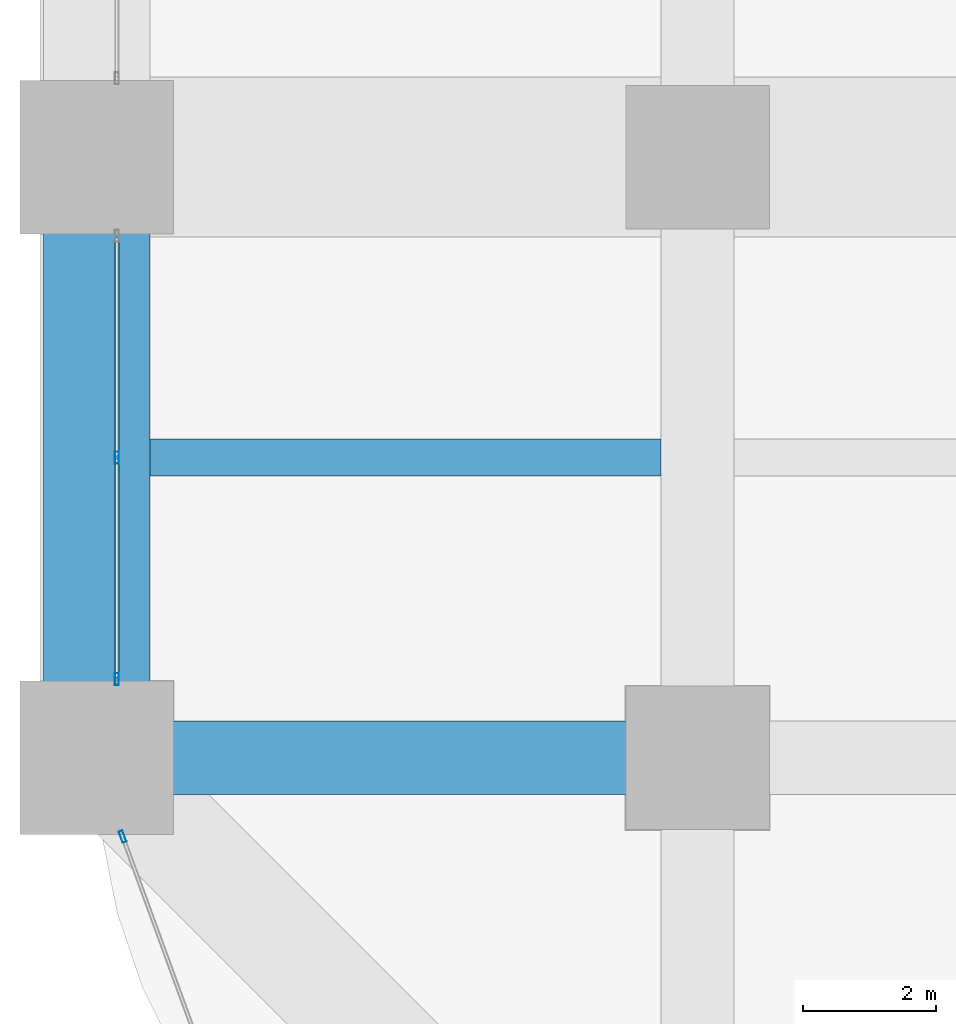
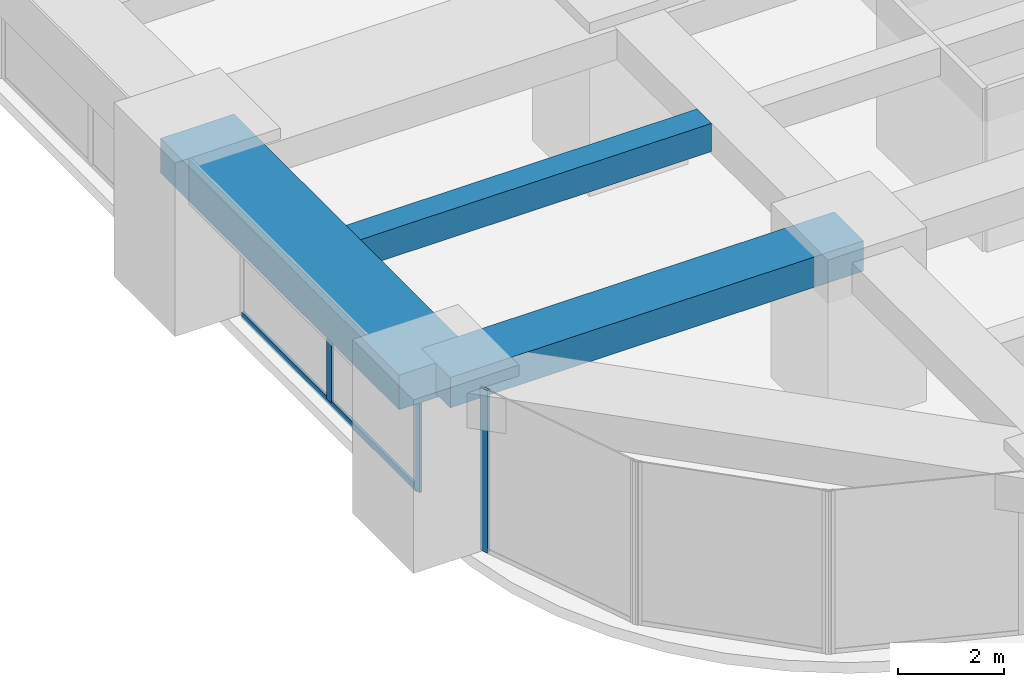
# One storey, part 4 of 43: 4 members, 3 beams, 2 elements without a shape of their own.
"""IFC4 building model written with IfcOpenShell, lengths in metres."""

import ifcopenshell
import ifcopenshell.guid

model = None  # the IFC model being written
_history = None  # IfcOwnerHistory: only IFC2X3 demands one
_inside = {}  # id of a spatial element -> (the spatial element, [elements in it])
_under = {}  # id of a project, library or spatial element -> (it, [spatial elements below it])
_declared = {}  # id of a project -> (the project, [libraries it declares])
_typed = {}  # id of a type object -> (the type object, [elements of that type])
_made_of = {}  # id of a material, layer set ... -> (it, [elements and type objects made of it])


def new_model(schema):
    """Start an empty IFC model of exactly this schema.

    Asked for "IFC4X3", IfcOpenShell would pick the latest addendum, in which some entities
    have other attributes; the version numbers below select the first issue.
    IFC2X3 requires an IfcOwnerHistory on every rooted entity: one is made here for all.
    """
    global model, _history
    if schema == "IFC4X3":
        model = ifcopenshell.file(schema_version=(4, 3, 0, 0))
    else:
        model = ifcopenshell.file(schema=schema)
    _inside.clear()
    _under.clear()
    _declared.clear()
    _typed.clear()
    _made_of.clear()
    _history = None
    if model.schema == "IFC2X3":
        org = make("IfcOrganization", Name="unknown")
        user = make(
            "IfcPersonAndOrganization",
            ThePerson=make("IfcPerson", FamilyName="unknown"),
            TheOrganization=org,
        )
        app = make(
            "IfcApplication",
            ApplicationDeveloper=org,
            Version="unknown",
            ApplicationFullName="unknown",
            ApplicationIdentifier="unknown",
        )
        _history = make(
            "IfcOwnerHistory",
            OwningUser=user,
            OwningApplication=app,
            ChangeAction="ADDED",
            CreationDate=0,
        )
    return model


def make(cls, **values):
    """One entity of the class cls with the attributes given. An attribute that is None is left unset."""
    return model.create_entity(
        cls, **{name: value for name, value in values.items() if value is not None}
    )


def rooted(cls, **values):
    """An entity with a GlobalId (a new one), such as an element, a storey or a relation."""
    return make(cls, GlobalId=ifcopenshell.guid.new(), OwnerHistory=_history, **values)


def si_unit(unit_type, name, prefix=None):
    """IfcSIUnit, for example si_unit("LENGTHUNIT", "METRE", prefix="MILLI")."""
    return make("IfcSIUnit", UnitType=unit_type, Prefix=prefix, Name=name)


def assignment(units):
    """IfcUnitAssignment: the units of a project."""
    return None if units is None else make("IfcUnitAssignment", Units=units)


def point(xyz):
    """IfcCartesianPoint."""
    return None if xyz is None else make("IfcCartesianPoint", Coordinates=xyz)


def direction(xyz):
    """IfcDirection."""
    return None if xyz is None else make("IfcDirection", DirectionRatios=xyz)


def frame(location, z_axis=None, x_axis=None):
    """IfcAxis2Placement3D, a coordinate frame: its origin and axes. An axis left out is left unset."""
    return make(
        "IfcAxis2Placement3D",
        Location=point(location),
        Axis=direction(z_axis),
        RefDirection=direction(x_axis),
    )


def frame_2d(location, x_axis=None):
    """IfcAxis2Placement2D, a coordinate frame in the plane: its origin and x axis."""
    return make(
        "IfcAxis2Placement2D", Location=point(location), RefDirection=direction(x_axis)
    )


def origin():
    """The frame at (0, 0, 0) with its axes left unset."""
    return frame((0.0, 0.0, 0.0))


def origin_2d():
    """The frame at (0, 0) in the plane with its x axis left unset."""
    return frame_2d((0.0, 0.0))


def place(relative_to, where):
    """IfcLocalPlacement: puts the frame where relative to a parent placement (None: the world)."""
    return make(
        "IfcLocalPlacement", PlacementRelTo=relative_to, RelativePlacement=where
    )


def context(
    kind, dimensions, precision=None, world=None, true_north=None, identifier=None
):
    """IfcGeometricRepresentationContext, for example the 3D "Model" context."""
    return make(
        "IfcGeometricRepresentationContext",
        ContextIdentifier=identifier,
        ContextType=kind,
        CoordinateSpaceDimension=dimensions,
        Precision=precision,
        WorldCoordinateSystem=world,
        TrueNorth=true_north,
    )


def subcontext(parent, identifier, kind, view, scale=None):
    """IfcGeometricRepresentationSubContext, for example "Body" below "Model"."""
    return make(
        "IfcGeometricRepresentationSubContext",
        ContextIdentifier=identifier,
        ContextType=kind,
        ParentContext=parent,
        TargetScale=scale,
        TargetView=view,
    )


def project(units=None, contexts=None):
    """IfcProject with its units and contexts."""
    return rooted(
        "IfcProject",
        Name="project",
        RepresentationContexts=contexts,
        UnitsInContext=assignment(units),
    )


def spatial(cls, under=None, at=None, **own):
    """A site, building, storey or space (cls), placed at a placement, below another one or the project."""
    s = rooted(cls, ObjectPlacement=at, **own)
    if under is not None:
        _under.setdefault(under.id(), (under, []))[1].append(s)
    return s


def profile(cls, at=None, kind="AREA", **sizes):
    """A parametric profile (cls). Its sizes go by their IFC names, for example OverallWidth=200.0."""
    return make(cls, ProfileType=kind, Position=at, **sizes)


def rectangle(**sizes):
    """IfcRectangleProfileDef."""
    return profile("IfcRectangleProfileDef", **sizes)


def hollow_rectangle(**sizes):
    """IfcRectangleHollowProfileDef."""
    return profile("IfcRectangleHollowProfileDef", **sizes)


def extrude(swept, where, along, depth):
    """IfcExtrudedAreaSolid: the profile swept, set in the frame where, extruded along a direction by depth."""
    return make(
        "IfcExtrudedAreaSolid",
        SweptArea=swept,
        Position=where,
        ExtrudedDirection=direction(along),
        Depth=depth,
    )


def shape(context_of_items, identifier, shape_type, items):
    """IfcShapeRepresentation: the items that make up one representation, for example the "Body"."""
    return make(
        "IfcShapeRepresentation",
        ContextOfItems=context_of_items,
        RepresentationIdentifier=identifier,
        RepresentationType=shape_type,
        Items=items,
    )


def material(Name=None, Category=None):
    """IfcMaterial."""
    return make("IfcMaterial", Name=Name, Category=Category)


def material_profile(
    of_material, cross_section, Name=None, Category=None, Priority=None
):
    """IfcMaterialProfile: a cross section and its material."""
    return make(
        "IfcMaterialProfile",
        Name=Name,
        Material=of_material,
        Profile=cross_section,
        Priority=Priority,
        Category=Category,
    )


def profile_set(profiles, Name=None, composite=None):
    """IfcMaterialProfileSet."""
    return make(
        "IfcMaterialProfileSet",
        Name=Name,
        MaterialProfiles=profiles,
        CompositeProfile=composite,
    )


def made_of(thing, what):
    """Note that an element or type object is made of a material, layer set ...; save() writes the relation."""
    if what is not None:
        _made_of.setdefault(what.id(), (what, []))[1].append(thing)
    return thing


def type_object(cls, material=None, **own):
    """A type object (cls), such as IfcWallType, which elements share."""
    return made_of(rooted(cls, **own), material)


def element(
    cls,
    number,
    at=None,
    inside=None,
    cuts=None,
    type_object=None,
    material=None,
    context=None,
    identifier="Body",
    shape_type=None,
    held_by="IfcProductDefinitionShape",
    body=None,
    shapes=None,
    **own,
):
    """One element of the class cls, such as IfcWall. Its Tag is "e" and its number.

    at: its placement. inside: the storey or other place that contains it. cuts: it is an
    opening in that element (IfcRelVoidsElement). A single representation is given by context,
    identifier, shape_type and body (its items); several are given by shapes. held_by: the class
    of the entity that holds the representations. save() writes the other relations.
    """
    e = rooted(cls, Tag="e%d" % number, ObjectPlacement=at, **own)
    if body is not None:
        shapes = [shape(context, identifier, shape_type, body)]
    if shapes is not None:
        e.Representation = make(held_by, Representations=shapes)
    if inside is not None:
        _inside.setdefault(inside.id(), (inside, []))[1].append(e)
    if cuts is not None:
        rooted(
            "IfcRelVoidsElement", RelatingBuildingElement=cuts, RelatedOpeningElement=e
        )
    if type_object is not None:
        _typed.setdefault(type_object.id(), (type_object, []))[1].append(e)
    return made_of(e, material)


def aggregate(whole, parts):
    """IfcRelAggregates: a whole, such as a stair, and the parts it consists of."""
    return rooted("IfcRelAggregates", RelatingObject=whole, RelatedObjects=parts)


def save(model, path):
    """Write the relations noted so far, then the file.

    IfcRelAggregates (storeys below a building ...), IfcRelContainedInSpatialStructure (elements
    in a storey), IfcRelDefinesByType, IfcRelAssociatesMaterial and IfcRelDeclares: one each for
    every whole, place, type object, material and project.
    """
    for whole, parts in _under.values():
        aggregate(whole, parts)
    for where, things in _inside.values():
        rooted(
            "IfcRelContainedInSpatialStructure",
            RelatedElements=things,
            RelatingStructure=where,
        )
    for kind, things in _typed.values():
        rooted("IfcRelDefinesByType", RelatedObjects=things, RelatingType=kind)
    for what, things in _made_of.values():
        rooted("IfcRelAssociatesMaterial", RelatedObjects=things, RelatingMaterial=what)
    for by, libraries in _declared.values():
        rooted("IfcRelDeclares", RelatingContext=by, RelatedDefinitions=libraries)
    model.write(path)


model = new_model("IFC4")

# Units and contexts
model_context = context("Model", 3, precision=1e-05, world=origin(), true_north=direction((0.0, 1.0)))
body_context = subcontext(model_context, "Body", "Model", "MODEL_VIEW")
ifc_project = project(units=[si_unit("LENGTHUNIT", "METRE"), si_unit("AREAUNIT", "SQUARE_METRE"), si_unit("VOLUMEUNIT", "CUBIC_METRE"), si_unit("PLANEANGLEUNIT", "RADIAN"), si_unit("MASSUNIT", "GRAM", prefix="KILO")], contexts=[model_context])

# Site, building, storey
site_placement = place(None, origin())
site = spatial("IfcSite", under=ifc_project, at=site_placement, CompositionType="ELEMENT")
building_placement = place(site_placement, origin())
building = spatial("IfcBuilding", under=site, at=building_placement, Name="Zorevar Civic Tower", CompositionType="ELEMENT")
storey_placement = place(building_placement, frame((0.0, 0.0, 67.800048828125)))
storey = spatial("IfcBuildingStorey", under=building, at=storey_placement, Name="L16", CompositionType="ELEMENT", Elevation=67.800048828125)

# Beams
ifc_material_1 = material(Name="Concrete C50/60", Category="concrete")
ifc_material_profile_1 = material_profile(ifc_material_1, rectangle(XDim=1.10009765625, YDim=0.699951171875, at=origin_2d()), Name="RC 1100x700")
ifc_profile_set_1 = profile_set([ifc_material_profile_1], Name="Concrete C50/60")
beam_type_1 = type_object("IfcBeamType", Name="Beam RC 1100x700", PredefinedType="BEAM", material=ifc_profile_set_1)
beam_1_placement = place(storey_placement, frame((0.0, 9.0, 3.39990234375), z_axis=(1.0, 0.0, 0.0), x_axis=(0.0, 1.0, 0.0)))
element("IfcBeam", 1, at=beam_1_placement, inside=storey, type_object=beam_type_1, Name="Girder L17", PredefinedType="BEAM", context=body_context, shape_type="SweptSolid", body=[
    extrude(rectangle(XDim=1.10009765625, YDim=0.699951171875, at=origin_2d()), origin(), (0.0, 0.0, 1.0), 9.0),
])
ifc_material_2 = material(Name="Concrete C50/60", Category="concrete")
ifc_material_profile_2 = material_profile(ifc_material_2, rectangle(XDim=0.550048828125, YDim=0.64990234375, at=origin_2d()), Name="RC 550x650")
ifc_profile_set_2 = profile_set([ifc_material_profile_2], Name="Concrete C50/60")
beam_type_2 = type_object("IfcBeamType", Name="Beam RC 550x650", PredefinedType="BEAM", material=ifc_profile_set_2)
beam_2_placement = place(storey_placement, frame((0.800048828125, 13.5, 3.425048828125), z_axis=(1.0, 0.0, 0.0), x_axis=(0.0, 1.0, 0.0)))
element("IfcBeam", 2, at=beam_2_placement, inside=storey, type_object=beam_type_2, Name="Secondary beam L17", PredefinedType="BEAM", context=body_context, shape_type="SweptSolid", body=[
    extrude(rectangle(XDim=0.550048828125, YDim=0.64990234375, at=origin_2d()), origin(), (0.0, 0.0, 1.0), 7.64990234375),
])

# Curtain wall, members
ifc_material_3 = material(Name="Dark grey solar-control glass in black aluminium frame", Category="aluminium")
curtain_wall_type = type_object("IfcCurtainWallType", Name="Curtain wall CW2 low zone", PredefinedType="NOTDEFINED", material=ifc_material_3)
curtain_wall_1_placement = place(storey_placement, origin())
curtain_wall_1 = element("IfcCurtainWall", 3, at=curtain_wall_1_placement, inside=storey, type_object=curtain_wall_type, Name="CW2 L16", PredefinedType="NOTDEFINED")
ifc_material_4 = material(Name="Aluminium, black anodised", Category="aluminium")
ifc_material_profile_3 = material_profile(ifc_material_4, hollow_rectangle(XDim=0.06005859375, YDim=0.179931640625, WallThickness=0.00390625, at=origin_2d()), Name="AL 180x60x4")
ifc_profile_set_3 = profile_set([ifc_material_profile_3], Name="Aluminium, black anodised")
member_type_1 = type_object("IfcMemberType", Name="CW2 mullion AL 180x60x4", PredefinedType="MULLION", material=ifc_profile_set_3)
member_1_placement = place(storey_placement, frame((0.300048828125, 10.179931640625, 0.0), z_axis=(0.0, 0.0, 1.0), x_axis=(-1.0, 0.0, 0.0)))
member_1 = element("IfcMember", 4, at=member_1_placement, type_object=member_type_1, Name="CW2 mullion 1", PredefinedType="MULLION", context=body_context, shape_type="SweptSolid", body=[
    extrude(hollow_rectangle(XDim=0.06005859375, YDim=0.179931640625, WallThickness=0.00390625, at=origin_2d()), origin(), (0.0, 0.0, 1.0), 2.949951171875),
])
member_2_placement = place(storey_placement, frame((0.300048828125, 13.5, 0.06005859375), z_axis=(0.0, 0.0, 1.0), x_axis=(-1.0, 0.0, 0.0)))
member_2 = element("IfcMember", 5, at=member_2_placement, type_object=member_type_1, Name="CW2 mullion 2", PredefinedType="MULLION", context=body_context, shape_type="SweptSolid", body=[
    extrude(hollow_rectangle(XDim=0.06005859375, YDim=0.179931640625, WallThickness=0.00390625, at=origin_2d()), origin(), (0.0, 0.0, 1.0), 2.889892578125),
])

# Curtain wall, member
curtain_wall_2_placement = place(storey_placement, origin())
curtain_wall_2 = element("IfcCurtainWall", 6, at=curtain_wall_2_placement, inside=storey, type_object=curtain_wall_type, Name="CW2 L16", PredefinedType="NOTDEFINED")
member_3_placement = place(storey_placement, frame((0.38671875, 7.82177734375, 0.0), z_axis=(0.0, 0.0, 1.0), x_axis=(0.939313345732, 0.343060400701, 0.0)))
member_3 = element("IfcMember", 7, at=member_3_placement, type_object=member_type_1, Name="CW2 mullion 1", PredefinedType="MULLION", context=body_context, shape_type="SweptSolid", body=[
    extrude(hollow_rectangle(XDim=0.06005859375, YDim=0.179931640625, WallThickness=0.00390625, at=origin_2d()), origin(), (0.0, 0.0, 1.0), 3.75),
])
aggregate(curtain_wall_2, [member_3])

# Member
ifc_material_5 = material(Name="Aluminium, black anodised", Category="aluminium")
ifc_material_profile_4 = material_profile(ifc_material_5, hollow_rectangle(XDim=0.06005859375, YDim=0.14990234375, WallThickness=0.00390625, at=origin_2d()), Name="AL 150x60x4")
ifc_profile_set_4 = profile_set([ifc_material_profile_4], Name="Aluminium, black anodised")
member_type_2 = type_object("IfcMemberType", Name="CW2 transom AL 150x60x4", PredefinedType="USERDEFINED", material=ifc_profile_set_4)
member_4_placement = place(storey_placement, frame((0.300048828125, 10.2099609375, 0.030029296875), z_axis=(0.0, 1.0, 0.0), x_axis=(-1.0, 0.0, 0.0)))
member_4 = element("IfcMember", 8, at=member_4_placement, type_object=member_type_2, Name="CW2 sill transom", ObjectType="TRANSOM", PredefinedType="USERDEFINED", context=body_context, shape_type="SweptSolid", body=[
    extrude(hollow_rectangle(XDim=0.06005859375, YDim=0.14990234375, WallThickness=0.00390625, at=origin_2d()), origin(), (0.0, 0.0, 1.0), 6.580078125),
])

aggregate(curtain_wall_1, [member_1, member_2, member_4])

# Beam
ifc_material_6 = material(Name="Concrete C50/60", Category="concrete")
ifc_material_profile_5 = material_profile(ifc_material_6, rectangle(XDim=1.60009765625, YDim=0.800048828125, at=origin_2d()), Name="RC 1600x800")
ifc_profile_set_5 = profile_set([ifc_material_profile_5], Name="Concrete C50/60")
beam_type_3 = type_object("IfcBeamType", Name="Edge beam RC 1600x800", PredefinedType="SPANDREL", material=ifc_profile_set_5)
beam_3_placement = place(storey_placement, frame((0.0, 9.0, 3.349853515625), z_axis=(0.0, 1.0, 0.0), x_axis=(-1.0, 0.0, 0.0)))
element("IfcBeam", 9, at=beam_3_placement, inside=storey, type_object=beam_type_3, Name="Edge beam L17", PredefinedType="SPANDREL", context=body_context, shape_type="SweptSolid", body=[
    extrude(rectangle(XDim=1.60009765625, YDim=0.800048828125, at=origin_2d()), origin(), (0.0, 0.0, 1.0), 9.0),
])

save(model, "model.ifc")
